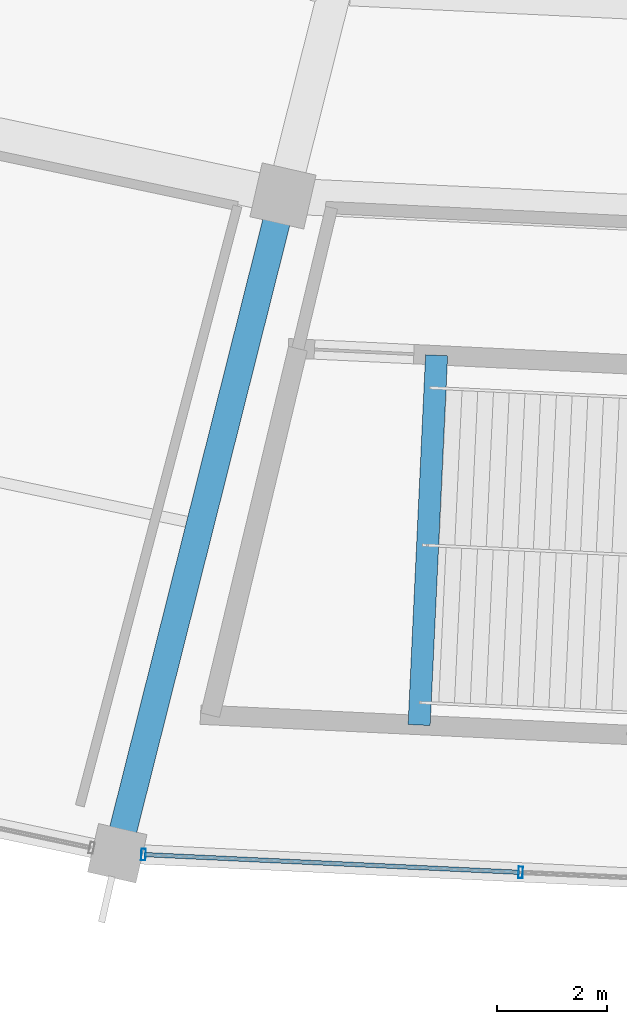
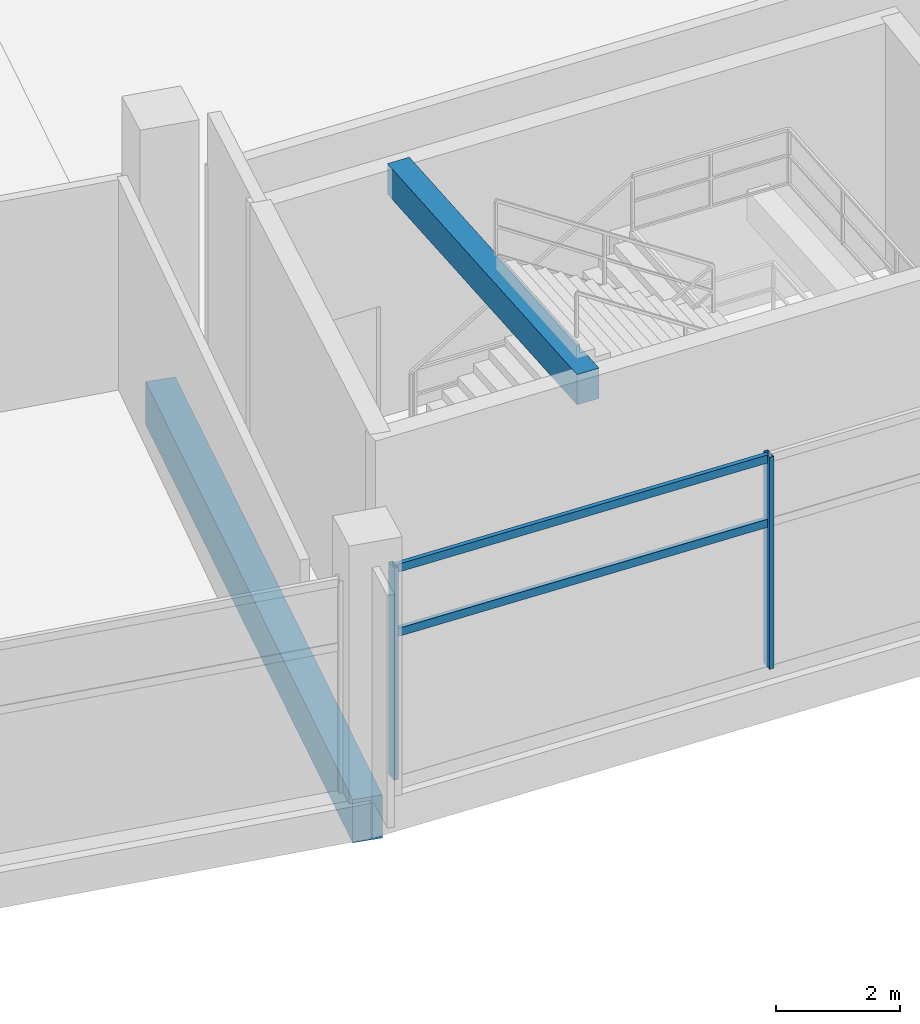
# One storey, part 20 of 184: 4 members, 2 beams, 1 element without a shape of its own.
"""IFC4 building model written with IfcOpenShell, lengths in metres."""

from ifc_helpers import new_model, si_unit, direction, frame, origin, origin_2d, place, context, subcontext, project, spatial, rectangle, hollow_rectangle, extrude, material, layer, layer_set, material_profile, profile_set, type_object, element, aggregate, save


model = new_model("IFC4")

# Units and contexts
model_context = context("Model", 3, precision=1e-05, world=origin(), true_north=direction((0.0, 1.0)))
body_context = subcontext(model_context, "Body", "Model", "MODEL_VIEW")
ifc_project = project(units=[si_unit("LENGTHUNIT", "METRE"), si_unit("AREAUNIT", "SQUARE_METRE"), si_unit("VOLUMEUNIT", "CUBIC_METRE"), si_unit("PLANEANGLEUNIT", "RADIAN"), si_unit("MASSUNIT", "GRAM", prefix="KILO")], contexts=[model_context])

# Site, building, storey
site_placement = place(None, origin())
site = spatial("IfcSite", under=ifc_project, at=site_placement, CompositionType="ELEMENT")
building_placement = place(site_placement, origin())
building = spatial("IfcBuilding", under=site, at=building_placement, Name="Kazemori Nagisa Stadium", CompositionType="ELEMENT")
storey_placement = place(building_placement, frame((0.0, 0.0, 10.5400390625)))
storey = spatial("IfcBuildingStorey", under=building, at=storey_placement, Name="L02", CompositionType="ELEMENT", Elevation=10.5400390625)

# Beams
ifc_material_1 = material(Name="Concrete C40/50 (Fc42)", Category="concrete")
ifc_material_profile_1 = material_profile(ifc_material_1, rectangle(XDim=0.39990234375, YDim=0.60009765625, at=origin_2d()), Name="RC-BM-400x600")
ifc_profile_set_1 = profile_set([ifc_material_profile_1], Name="Concrete C40/50 (Fc42)")
beam_type_1 = type_object("IfcBeamType", Name="Beam_BG-LND400X600", PredefinedType="BEAM", material=ifc_profile_set_1)
beam_1_placement = place(storey_placement, frame((107.352783203125, 26.02783203125, 4.5400390625), z_axis=(-0.047220656191, -0.998884482625, 0.0), x_axis=(0.998884482625, -0.047220656191, 0.0)))
element("IfcBeam", 1, at=beam_1_placement, inside=storey, type_object=beam_type_1, Name="Core stair arrival header girder ST12-L02", PredefinedType="BEAM", context=body_context, shape_type="SweptSolid", body=[
    extrude(rectangle(XDim=0.39990234375, YDim=0.60009765625, at=origin_2d()), origin(), (0.0, 0.0, 1.0), 6.70068359375),
])
ifc_material_profile_2 = material_profile(ifc_material_1, rectangle(XDim=0.5, YDim=0.85009765625, at=origin_2d()), Name="RC-BM-500x850")
ifc_profile_set_2 = profile_set([ifc_material_profile_2], Name="Concrete C40/50 (Fc42)")
beam_type_2 = type_object("IfcBeamType", Name="Beam_BG-RC500X850", PredefinedType="BEAM", material=ifc_profile_set_2)
beam_2_placement = place(storey_placement, frame((104.572265625, 28.911376953125, -0.68505859375), z_axis=(-0.244487324834, -0.969652488263, 0.0), x_axis=(0.969652488263, -0.244487324834, 0.0)))
element("IfcBeam", 2, at=beam_2_placement, inside=storey, type_object=beam_type_2, Name="Radial girder BG-RC500X850 L02 R2-R3-21", PredefinedType="BEAM", context=body_context, shape_type="SweptSolid", body=[
    extrude(rectangle(XDim=0.5, YDim=0.85009765625, at=origin_2d()), origin(), (0.0, 0.0, 1.0), 12.2705078125),
])

# Curtain wall, members
ifc_material_2 = material(Name="Anodised aluminium 6063-T5", Category="aluminium")
ifc_layer = layer(ifc_material_2, 0.2099609375, Name="Anodised aluminium 6063-T5", Category="aluminium")
ifc_layer_set = layer_set([ifc_layer], Name="Anodised aluminium 6063-T5")
curtain_wall_type = type_object("IfcCurtainWallType", Name="CW_L02R3_103", PredefinedType="USERDEFINED", material=ifc_layer_set)
curtain_wall_placement = place(storey_placement, origin())
curtain_wall = element("IfcCurtainWall", 3, at=curtain_wall_placement, inside=storey, type_object=curtain_wall_type, Name="Unitised curtain wall CW-L02R3-103 L02", ObjectType="UNITISED CURTAIN WALL", PredefinedType="USERDEFINED")
ifc_material_3 = material(Name="Aluminium 6063-T5 anodised", Category="aluminium")
ifc_material_profile_3 = material_profile(ifc_material_3, hollow_rectangle(XDim=0.080078125, YDim=0.2099609375, WallThickness=0.0048828125, at=origin_2d()), Name="ALU-MULL-80x210x5")
ifc_profile_set_3 = profile_set([ifc_material_profile_3], Name="Aluminium 6063-T5 anodised")
member_type_1 = type_object("IfcMemberType", Name="Mullion_M02", PredefinedType="MULLION", material=ifc_profile_set_3)
member_1_placement = place(storey_placement, frame((102.046875, 16.99072265625, 0.0), z_axis=(0.0, 0.0, 1.0), x_axis=(0.998884022476, -0.047230388971, 0.0)))
member_1 = element("IfcMember", 4, at=member_1_placement, type_object=member_type_1, Name="Curtain wall mullion CW-L02R3-103-M1", PredefinedType="MULLION", context=body_context, shape_type="SweptSolid", body=[
    extrude(hollow_rectangle(XDim=0.080078125, YDim=0.2099609375, WallThickness=0.0048828125, at=origin_2d()), origin(), (0.0, 0.0, 1.0), 4.18994140625),
])
member_2_placement = place(storey_placement, frame((108.873046875, 16.66796875, 0.0), z_axis=(0.0, 0.0, 1.0), x_axis=(0.998884022476, -0.047230388971, 0.0)))
member_2 = element("IfcMember", 5, at=member_2_placement, type_object=member_type_1, Name="Curtain wall mullion CW-L02R3-103-M2", PredefinedType="MULLION", context=body_context, shape_type="SweptSolid", body=[
    extrude(hollow_rectangle(XDim=0.080078125, YDim=0.2099609375, WallThickness=0.0048828125, at=origin_2d()), origin(), (0.0, 0.0, 1.0), 4.18994140625),
])
ifc_material_profile_4 = material_profile(ifc_material_3, hollow_rectangle(XDim=0.080078125, YDim=0.159912109375, WallThickness=0.00390625, at=origin_2d()), Name="ALU-TRAN-80x160x4")
ifc_profile_set_4 = profile_set([ifc_material_profile_4], Name="Aluminium 6063-T5 anodised")
member_type_2 = type_object("IfcMemberType", Name="Transom_T02", PredefinedType="USERDEFINED", material=ifc_profile_set_4)
member_3_placement = place(storey_placement, frame((102.066650390625, 16.98974609375, 2.84912109375), z_axis=(0.998884581669, -0.047218561007, 0.0), x_axis=(0.047218561007, 0.998884581669, 0.0)))
member_3 = element("IfcMember", 6, at=member_3_placement, type_object=member_type_2, Name="Curtain wall transom CW-L02R3-103-T1-mid", ObjectType="TRANSOM", PredefinedType="USERDEFINED", context=body_context, shape_type="SweptSolid", body=[
    extrude(hollow_rectangle(XDim=0.080078125, YDim=0.159912109375, WallThickness=0.00390625, at=origin_2d()), origin(), (0.0, 0.0, 1.0), 6.7939453125),
])
member_4_placement = place(storey_placement, frame((102.066650390625, 16.98974609375, 4.119873046875), z_axis=(0.998884581669, -0.047218561007, 0.0), x_axis=(0.047218561007, 0.998884581669, 0.0)))
member_4 = element("IfcMember", 7, at=member_4_placement, type_object=member_type_2, Name="Curtain wall transom CW-L02R3-103-T1-head", ObjectType="TRANSOM", PredefinedType="USERDEFINED", context=body_context, shape_type="SweptSolid", body=[
    extrude(hollow_rectangle(XDim=0.080078125, YDim=0.159912109375, WallThickness=0.00390625, at=origin_2d()), origin(), (0.0, 0.0, 1.0), 6.7939453125),
])
aggregate(curtain_wall, [member_1, member_2, member_3, member_4])

save(model, "model.ifc")
